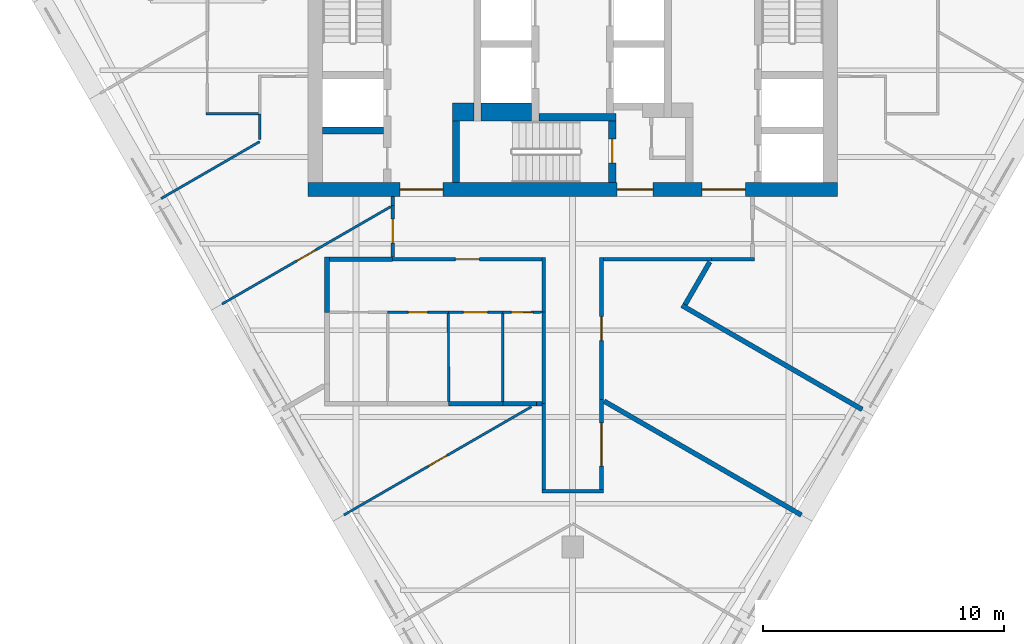
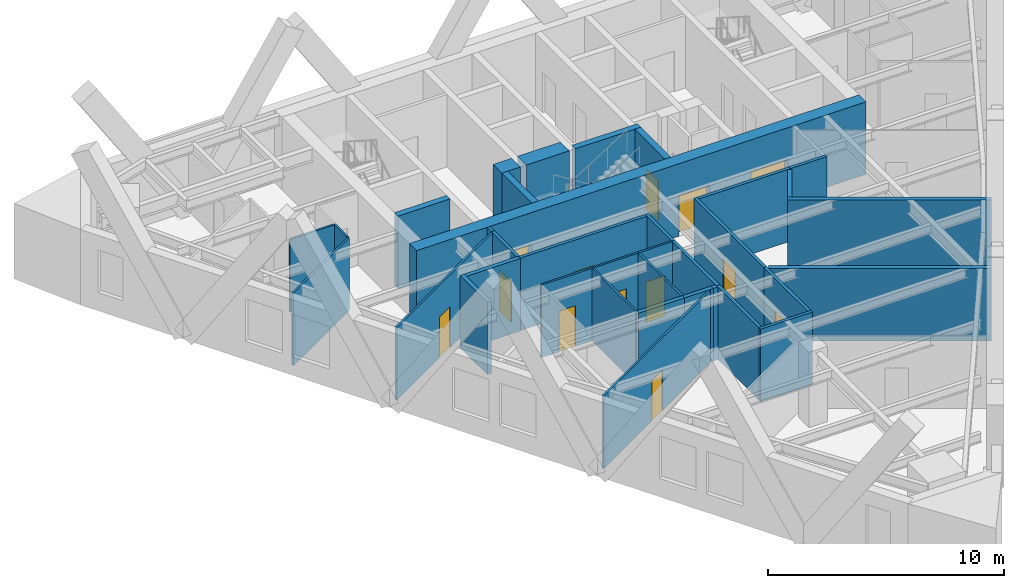
# One storey, part 3 of 7: 36 walls, 13 doors, 13 openings.
"""IFC4 building model written with IfcOpenShell, lengths in metres."""

from ifc_helpers import new_model, si_unit, direction, frame, frame_2d, origin, place, context, subcontext, project, spatial, rectangle, extrude, material, layer, layer_set, type_object, element, fill, save


model = new_model("IFC4")

# Units and contexts
model_context = context("Model", 3, precision=1e-05, world=origin(), true_north=direction((0.0, 1.0)))
body_context = subcontext(model_context, "Body", "Model", "MODEL_VIEW")
ifc_project = project(units=[si_unit("LENGTHUNIT", "METRE"), si_unit("AREAUNIT", "SQUARE_METRE"), si_unit("VOLUMEUNIT", "CUBIC_METRE"), si_unit("PLANEANGLEUNIT", "RADIAN"), si_unit("MASSUNIT", "GRAM", prefix="KILO")], contexts=[model_context])

# Site, building, storey
site_placement = place(None, origin())
site = spatial("IfcSite", under=ifc_project, at=site_placement, CompositionType="ELEMENT")
building_placement = place(site_placement, origin())
building = spatial("IfcBuilding", under=site, at=building_placement, Name="Aloe Facet Convention Tower", CompositionType="ELEMENT")
storey_placement = place(building_placement, frame((0.0, 0.0, 136.39990234375)))
storey = spatial("IfcBuildingStorey", under=building, at=storey_placement, Name="L34", CompositionType="ELEMENT", Elevation=136.39990234375)

# Walls
ifc_material_1 = material(Name="Concrete C60/75", Category="concrete")
ifc_layer_1 = layer(ifc_material_1, 0.300048828125)
ifc_layer_set_1 = layer_set([ifc_layer_1], Name="CR-W-RC300-C6075")
wall_type_1 = type_object("IfcWallType", Name="CR-W-RC300-C6075", PredefinedType="SOLIDWALL", material=ifc_layer_set_1)
wall_1_placement = place(storey_placement, frame((69.60009765625, 125.300048828125, 0.0), z_axis=(0.0, 0.0, 1.0), x_axis=(1.0, 0.0, 0.0)))
element("IfcWall", 1, at=wall_1_placement, inside=storey, type_object=wall_type_1, Name="Core wall L34-005", PredefinedType="SOLIDWALL", context=body_context, shape_type="SweptSolid", body=[
    extrude(rectangle(XDim=2.5498046875, YDim=0.300048828125, at=frame_2d((1.27490234375, 0.0))), origin(), (0.0, 0.0, 1.0), 3.75),
])
wall_2_placement = place(storey_placement, frame((75.14990234375, 125.699951171875, 0.0), z_axis=(0.0, 0.0, 1.0), x_axis=(0.0, -1.0, 0.0)))
element("IfcWall", 2, at=wall_2_placement, inside=storey, type_object=wall_type_1, Name="Core wall L34-009", PredefinedType="SOLIDWALL", context=body_context, shape_type="SweptSolid", body=[
    extrude(rectangle(XDim=2.550048828125, YDim=0.300048828125, at=frame_2d((1.27490234375, 0.0))), origin(), (0.0, 0.0, 1.0), 3.75),
])
wall_3_placement = place(storey_placement, frame((78.60009765625, 125.85009765625, 0.0), z_axis=(0.0, 0.0, 1.0), x_axis=(1.0, 0.0, 0.0)))
element("IfcWall", 3, at=wall_3_placement, inside=storey, type_object=wall_type_1, Name="Core wall L34-015", PredefinedType="SOLIDWALL", context=body_context, shape_type="SweptSolid", body=[
    extrude(rectangle(XDim=3.199951171875, YDim=0.300048828125, at=frame_2d((1.60009765625, 0.0))), origin(), (0.0, 0.0, 1.0), 3.75),
])

# Wall, opening, door
wall_4_placement = place(storey_placement, frame((81.64990234375, 125.699951171875, 0.0), z_axis=(0.0, 0.0, 1.0), x_axis=(0.0, -1.0, 0.0)))
wall_4 = element("IfcWall", 4, at=wall_4_placement, inside=storey, type_object=wall_type_1, Name="Core wall L34-017", PredefinedType="SOLIDWALL", context=body_context, shape_type="SweptSolid", body=[
    extrude(rectangle(XDim=2.550048828125, YDim=0.300048828125, at=frame_2d((1.27490234375, 0.0))), origin(), (0.0, 0.0, 1.0), 3.75),
])
opening_1_placement = place(wall_4_placement, frame((0.75, 0.0, 0.0)))
opening_1 = element("IfcOpeningElement", 5, at=opening_1_placement, cuts=wall_4, Name="Opening L34-CD18", PredefinedType="OPENING", context=body_context, shape_type="SweptSolid", body=[
    extrude(rectangle(XDim=1.0, YDim=2.10009765625, at=frame_2d((0.5, 1.050048828125))), frame((0.0, 0.16015625, 0.0), z_axis=(0.0, -1.0, 0.0), x_axis=(1.0, 0.0, 0.0)), (0.0, 0.0, 1.0), 0.320068359375),
])
ifc_material_2 = material(Name="Steel fire-resisting door set FD120", Category="steel")
door_type_1 = type_object("IfcDoorType", Name="CR-D-STAIR-1000-FD120-SLEFT", OperationType="SINGLE_SWING_LEFT", PredefinedType="DOOR", material=ifc_material_2)
door_1_placement = place(opening_1_placement, origin())
door_1 = element("IfcDoor", 6, at=door_1_placement, inside=storey, type_object=door_type_1, Name="Core door L34-CD18", OperationType="SINGLE_SWING_LEFT", OverallHeight=2.10009765625, OverallWidth=1.0, PredefinedType="DOOR", context=body_context, shape_type="SweptSolid", body=[
    extrude(rectangle(XDim=1.0, YDim=2.10009765625, at=frame_2d((0.5, 1.050048828125))), frame((0.0, 0.02490234375, 0.0), z_axis=(0.0, -1.0, 0.0), x_axis=(1.0, 0.0, 0.0)), (0.0, 0.0, 1.0), 0.050048828125),
])
fill(opening_1, door_1)

# Wall, openings, doors
ifc_material_3 = material(Name="Concrete C60/75", Category="concrete")
ifc_layer_2 = layer(ifc_material_3, 0.60009765625)
ifc_layer_set_2 = layer_set([ifc_layer_2], Name="CR-W-RC600-C6075")
wall_type_2 = type_object("IfcWallType", Name="CR-W-RC600-C6075", PredefinedType="SOLIDWALL", material=ifc_layer_set_2)
wall_5_placement = place(storey_placement, frame((69.0, 122.85009765625, 0.0), z_axis=(0.0, 0.0, 1.0), x_axis=(1.0, 0.0, 0.0)))
wall_5 = element("IfcWall", 7, at=wall_5_placement, inside=storey, type_object=wall_type_2, Name="Core wall L34-003", PredefinedType="SOLIDWALL", context=body_context, shape_type="SweptSolid", body=[
    extrude(rectangle(XDim=22.0, YDim=0.60009765625, at=frame_2d((11.0, 0.0))), origin(), (0.0, 0.0, 1.0), 3.75),
])
opening_2_placement = place(wall_5_placement, frame((16.375, 0.0, 0.0)))
opening_2 = element("IfcOpeningElement", 8, at=opening_2_placement, cuts=wall_5, Name="Opening L34-CD09", PredefinedType="OPENING", context=body_context, shape_type="SweptSolid", body=[
    extrude(rectangle(XDim=1.800048828125, YDim=2.10009765625, at=frame_2d((0.89990234375, 1.050048828125))), frame((0.0, 0.31005859375, 0.0), z_axis=(0.0, -1.0, 0.0), x_axis=(1.0, 0.0, 0.0)), (0.0, 0.0, 1.0), 0.6201171875),
])
opening_3_placement = place(wall_5_placement, frame((3.824951171875, 0.0, 0.0)))
opening_3 = element("IfcOpeningElement", 9, at=opening_3_placement, cuts=wall_5, Name="Opening L34-CD10", PredefinedType="OPENING", context=body_context, shape_type="SweptSolid", body=[
    extrude(rectangle(XDim=1.800048828125, YDim=2.10009765625, at=frame_2d((0.89990234375, 1.050048828125))), frame((0.0, 0.31005859375, 0.0), z_axis=(0.0, -1.0, 0.0), x_axis=(1.0, 0.0, 0.0)), (0.0, 0.0, 1.0), 0.6201171875),
])
opening_4_placement = place(wall_5_placement, frame((12.85009765625, 0.0, 0.0)))
opening_4 = element("IfcOpeningElement", 10, at=opening_4_placement, cuts=wall_5, Name="Opening L34-CD11", PredefinedType="OPENING", context=body_context, shape_type="SweptSolid", body=[
    extrude(rectangle(XDim=1.5, YDim=2.10009765625, at=frame_2d((0.75, 1.050048828125))), frame((0.0, 0.31005859375, 0.0), z_axis=(0.0, -1.0, 0.0), x_axis=(1.0, 0.0, 0.0)), (0.0, 0.0, 1.0), 0.6201171875),
])
ifc_material_4 = material(Name="Steel fire-resisting door set FD60", Category="steel")
door_type_2 = type_object("IfcDoorType", Name="CR-D-EXIT-1500-FD60-DD", OperationType="DOUBLE_DOOR_DOUBLE_SWING", PredefinedType="DOOR", material=ifc_material_4)
door_2_placement = place(opening_4_placement, origin())
door_2 = element("IfcDoor", 11, at=door_2_placement, inside=storey, type_object=door_type_2, Name="Core door L34-CD11", OperationType="DOUBLE_DOOR_DOUBLE_SWING", OverallHeight=2.10009765625, OverallWidth=1.5, PredefinedType="DOOR", context=body_context, shape_type="SweptSolid", body=[
    extrude(rectangle(XDim=1.5, YDim=2.10009765625, at=frame_2d((0.75, 1.050048828125))), frame((0.0, 0.02490234375, 0.0), z_axis=(0.0, -1.0, 0.0), x_axis=(1.0, 0.0, 0.0)), (0.0, 0.0, 1.0), 0.050048828125),
])
fill(opening_4, door_2)
ifc_material_5 = material(Name="Steel fire-resisting door set FD120", Category="steel")
door_type_3 = type_object("IfcDoorType", Name="CR-D-EXIT-1800-FD120-DD", OperationType="DOUBLE_DOOR_DOUBLE_SWING", PredefinedType="DOOR", material=ifc_material_5)
door_3_placement = place(opening_2_placement, origin())
door_3 = element("IfcDoor", 12, at=door_3_placement, inside=storey, type_object=door_type_3, Name="Core door L34-CD09", OperationType="DOUBLE_DOOR_DOUBLE_SWING", OverallHeight=2.10009765625, OverallWidth=1.800048828125, PredefinedType="DOOR", context=body_context, shape_type="SweptSolid", body=[
    extrude(rectangle(XDim=1.800048828125, YDim=2.10009765625, at=frame_2d((0.89990234375, 1.050048828125))), frame((0.0, 0.02490234375, 0.0), z_axis=(0.0, -1.0, 0.0), x_axis=(1.0, 0.0, 0.0)), (0.0, 0.0, 1.0), 0.050048828125),
])
fill(opening_2, door_3)
door_4_placement = place(opening_3_placement, origin())
door_4 = element("IfcDoor", 13, at=door_4_placement, inside=storey, type_object=door_type_3, Name="Core door L34-CD10", OperationType="DOUBLE_DOOR_DOUBLE_SWING", OverallHeight=2.10009765625, OverallWidth=1.800048828125, PredefinedType="DOOR", context=body_context, shape_type="SweptSolid", body=[
    extrude(rectangle(XDim=1.800048828125, YDim=2.10009765625, at=frame_2d((0.89990234375, 1.050048828125))), frame((0.0, 0.02490234375, 0.0), z_axis=(0.0, -1.0, 0.0), x_axis=(1.0, 0.0, 0.0)), (0.0, 0.0, 1.0), 0.050048828125),
])
fill(opening_3, door_4)

# Walls
ifc_material_6 = material(Name="Concrete C60/75", Category="concrete")
ifc_layer_3 = layer(ifc_material_6, 0.75)
ifc_layer_set_3 = layer_set([ifc_layer_3], Name="CR-W-RC750-C6075")
wall_type_3 = type_object("IfcWallType", Name="CR-W-RC750-C6075", PredefinedType="SOLIDWALL", material=ifc_layer_set_3)
wall_6_placement = place(storey_placement, frame((75.0, 126.074951171875, 0.0), z_axis=(0.0, 0.0, 1.0), x_axis=(1.0, 0.0, 0.0)))
element("IfcWall", 14, at=wall_6_placement, inside=storey, type_object=wall_type_3, Name="Core wall L34-008", PredefinedType="SOLIDWALL", context=body_context, shape_type="SweptSolid", body=[
    extrude(rectangle(XDim=0.89990234375, YDim=0.75, at=frame_2d((0.449951171875, 0.0))), origin(), (0.0, 0.0, 1.0), 3.75),
])
wall_7_placement = place(storey_placement, frame((76.199951171875, 126.074951171875, 0.0), z_axis=(0.0, 0.0, 1.0), x_axis=(1.0, 0.0, 0.0)))
element("IfcWall", 15, at=wall_7_placement, inside=storey, type_object=wall_type_3, Name="Core wall L34-013", PredefinedType="SOLIDWALL", context=body_context, shape_type="SweptSolid", body=[
    extrude(rectangle(XDim=2.10009765625, YDim=0.75, at=frame_2d((1.050048828125, 0.0))), origin(), (0.0, 0.0, 1.0), 3.75),
])
ifc_material_7 = material(Name="Gypsum board partition on steel studs", Category="steel")
ifc_layer_4 = layer(ifc_material_7, 0.14990234375)
ifc_layer_set_4 = layer_set([ifc_layer_4], Name="IN-W-CORR")
wall_type_4 = type_object("IfcWallType", Name="IN-W-CORR", PredefinedType="PARTITIONING", material=ifc_layer_set_4)
wall_8_placement = place(storey_placement, frame((78.72509765625, 110.313232421875, 0.0), z_axis=(0.0, 0.0, 1.0), x_axis=(1.0, 0.0, 0.0)))
element("IfcWall", 16, at=wall_8_placement, inside=storey, type_object=wall_type_4, Name="Partition L34-W004", PredefinedType="PARTITIONING", context=body_context, shape_type="SweptSolid", body=[
    extrude(rectangle(XDim=2.5498046875, YDim=0.14990234375, at=frame_2d((1.27490234375, 0.0))), origin(), (0.0, 0.0, 1.0), 3.75),
])

# Wall, opening, door
wall_9_placement = place(storey_placement, frame((81.199951171875, 110.38818359375, 0.0), z_axis=(0.0, 0.0, 1.0), x_axis=(0.0, 1.0, 0.0)))
wall_9 = element("IfcWall", 17, at=wall_9_placement, inside=storey, type_object=wall_type_4, Name="Partition L34-W005", PredefinedType="PARTITIONING", context=body_context, shape_type="SweptSolid", body=[
    extrude(rectangle(XDim=3.732177734375, YDim=0.14990234375, at=frame_2d((1.8662109375, 0.0))), origin(), (0.0, 0.0, 1.0), 3.75),
])
opening_5_placement = place(wall_9_placement, frame((0.966064453125, 0.0, 0.0)))
opening_5 = element("IfcOpeningElement", 18, at=opening_5_placement, cuts=wall_9, Name="Opening L34-019", PredefinedType="OPENING", context=body_context, shape_type="SweptSolid", body=[
    extrude(rectangle(XDim=1.800048828125, YDim=2.10009765625, at=frame_2d((0.89990234375, 1.050048828125))), frame((0.0, 0.0849609375, 0.0), z_axis=(0.0, -1.0, 0.0), x_axis=(1.0, 0.0, 0.0)), (0.0, 0.0, 1.0), 0.169921875),
])
ifc_material_8 = material(Name="Glazed timber door pair FD30S", Category="wood")
door_type_4 = type_object("IfcDoorType", Name="IN-OFF-D-SUITE", OperationType="DOUBLE_DOOR_SINGLE_SWING", PredefinedType="DOOR", material=ifc_material_8)
door_5_placement = place(opening_5_placement, origin())
door_5 = element("IfcDoor", 19, at=door_5_placement, inside=storey, type_object=door_type_4, Name="Door L34-019", OperationType="SINGLE_SWING_LEFT", OverallHeight=2.10009765625, OverallWidth=1.800048828125, PredefinedType="DOOR", context=body_context, shape_type="SweptSolid", body=[
    extrude(rectangle(XDim=1.800048828125, YDim=2.10009765625, at=frame_2d((0.89990234375, 1.050048828125))), frame((0.0, 0.02490234375, 0.0), z_axis=(0.0, -1.0, 0.0), x_axis=(1.0, 0.0, 0.0)), (0.0, 0.0, 1.0), 0.050048828125),
])
fill(opening_5, door_5)

# Walls
wall_10_placement = place(storey_placement, frame((78.800048828125, 110.38818359375, 0.0), z_axis=(0.0, 0.0, 1.0), x_axis=(0.0, 1.0, 0.0)))
element("IfcWall", 20, at=wall_10_placement, inside=storey, type_object=wall_type_4, Name="Partition L34-W013", PredefinedType="PARTITIONING", context=body_context, shape_type="SweptSolid", body=[
    extrude(rectangle(XDim=3.561767578125, YDim=0.14990234375, at=frame_2d((1.78076171875, 0.0))), origin(), (0.0, 0.0, 1.0), 3.75),
])
wall_11_placement = place(storey_placement, frame((78.800048828125, 113.949951171875, 0.0), z_axis=(0.0, 0.0, 1.0), x_axis=(0.0, 1.0, 0.0)))
element("IfcWall", 21, at=wall_11_placement, inside=storey, type_object=wall_type_4, Name="Partition L34-W014", PredefinedType="PARTITIONING", context=body_context, shape_type="SweptSolid", body=[
    extrude(rectangle(XDim=3.81005859375, YDim=0.14990234375, at=frame_2d((1.905029296875, 0.0))), origin(), (0.0, 0.0, 1.0), 3.75),
])
wall_12_placement = place(storey_placement, frame((78.800048828125, 117.760009765625, 0.0), z_axis=(0.0, 0.0, 1.0), x_axis=(0.0, 1.0, 0.0)))
element("IfcWall", 22, at=wall_12_placement, inside=storey, type_object=wall_type_4, Name="Partition L34-W017", PredefinedType="PARTITIONING", context=body_context, shape_type="SweptSolid", body=[
    extrude(rectangle(XDim=2.264892578125, YDim=0.14990234375, at=frame_2d((1.13232421875, 0.0))), origin(), (0.0, 0.0, 1.0), 3.75),
])

# Wall, opening, door
wall_13_placement = place(storey_placement, frame((72.52490234375, 120.050048828125, 0.0), z_axis=(0.0, 0.0, 1.0), x_axis=(0.0, 1.0, 0.0)))
wall_13 = element("IfcWall", 23, at=wall_13_placement, inside=storey, type_object=wall_type_4, Name="Partition L34-W031", PredefinedType="PARTITIONING", context=body_context, shape_type="SweptSolid", body=[
    extrude(rectangle(XDim=2.134765625, YDim=0.14990234375, at=frame_2d((1.0673828125, 0.0))), origin(), (0.0, 0.0, 1.0), 3.75),
])
opening_6_placement = place(wall_13_placement, frame((0.5673828125, 0.0, 0.0)))
opening_6 = element("IfcOpeningElement", 24, at=opening_6_placement, cuts=wall_13, Name="Opening L34-010", PredefinedType="OPENING", context=body_context, shape_type="SweptSolid", body=[
    extrude(rectangle(XDim=1.0, YDim=2.10009765625, at=frame_2d((0.5, 1.050048828125))), frame((0.0, 0.0849609375, 0.0), z_axis=(0.0, -1.0, 0.0), x_axis=(1.0, 0.0, 0.0)), (0.0, 0.0, 1.0), 0.169921875),
])
ifc_material_9 = material(Name="Timber door FD30S with vision panel", Category="wood")
door_type_5 = type_object("IfcDoorType", Name="IN-OFF-D-ENTRY", OperationType="SINGLE_SWING_LEFT", PredefinedType="DOOR", material=ifc_material_9)
door_6_placement = place(opening_6_placement, origin())
door_6 = element("IfcDoor", 25, at=door_6_placement, inside=storey, type_object=door_type_5, Name="Door L34-010", OperationType="SINGLE_SWING_LEFT", OverallHeight=2.10009765625, OverallWidth=1.0, PredefinedType="DOOR", context=body_context, shape_type="SweptSolid", body=[
    extrude(rectangle(XDim=1.0, YDim=2.10009765625, at=frame_2d((0.5, 1.050048828125))), frame((0.0, 0.02490234375, 0.0), z_axis=(0.0, -1.0, 0.0), x_axis=(1.0, 0.0, 0.0)), (0.0, 0.0, 1.0), 0.050048828125),
])
fill(opening_6, door_6)

wall_14_placement = place(storey_placement, frame((72.52490234375, 119.949951171875, 0.0), z_axis=(0.0, 0.0, 1.0), x_axis=(1.0, 0.0, 0.0)))
wall_14 = element("IfcWall", 26, at=wall_14_placement, inside=storey, type_object=wall_type_4, Name="Partition L34-W032", PredefinedType="PARTITIONING", context=body_context, shape_type="SweptSolid", body=[
    extrude(rectangle(XDim=6.2001953125, YDim=0.14990234375, at=frame_2d((3.10009765625, 0.0))), origin(), (0.0, 0.0, 1.0), 3.75),
])
opening_7_placement = place(wall_14_placement, frame((2.60009765625, 0.0, 0.0)))
opening_7 = element("IfcOpeningElement", 27, at=opening_7_placement, cuts=wall_14, Name="Opening L34-001", PredefinedType="OPENING", context=body_context, shape_type="SweptSolid", body=[
    extrude(rectangle(XDim=1.0, YDim=2.10009765625, at=frame_2d((0.5, 1.050048828125))), frame((0.0, 0.0849609375, 0.0), z_axis=(0.0, -1.0, 0.0), x_axis=(1.0, 0.0, 0.0)), (0.0, 0.0, 1.0), 0.169921875),
])
door_7_placement = place(opening_7_placement, origin())
door_7 = element("IfcDoor", 28, at=door_7_placement, inside=storey, type_object=door_type_5, Name="Door L34-001", OperationType="SINGLE_SWING_LEFT", OverallHeight=2.10009765625, OverallWidth=1.0, PredefinedType="DOOR", context=body_context, shape_type="SweptSolid", body=[
    extrude(rectangle(XDim=1.0, YDim=2.10009765625, at=frame_2d((0.5, 1.050048828125))), frame((0.0, 0.02490234375, 0.0), z_axis=(0.0, -1.0, 0.0), x_axis=(1.0, 0.0, 0.0)), (0.0, 0.0, 1.0), 0.050048828125),
])
fill(opening_7, door_7)

wall_15_placement = place(storey_placement, frame((81.199951171875, 114.120361328125, 0.0), z_axis=(0.0, 0.0, 1.0), x_axis=(0.0, 1.0, 0.0)))
wall_15 = element("IfcWall", 29, at=wall_15_placement, inside=storey, type_object=wall_type_4, Name="Partition L34-W033", PredefinedType="PARTITIONING", context=body_context, shape_type="SweptSolid", body=[
    extrude(rectangle(XDim=5.904541015625, YDim=0.14990234375, at=frame_2d((2.9521484375, 0.0))), origin(), (0.0, 0.0, 1.0), 3.75),
])
opening_8_placement = place(wall_15_placement, frame((2.452392578125, 0.0, 0.0)))
opening_8 = element("IfcOpeningElement", 30, at=opening_8_placement, cuts=wall_15, Name="Opening L34-012", PredefinedType="OPENING", context=body_context, shape_type="SweptSolid", body=[
    extrude(rectangle(XDim=1.0, YDim=2.10009765625, at=frame_2d((0.5, 1.050048828125))), frame((0.0, 0.0849609375, 0.0), z_axis=(0.0, -1.0, 0.0), x_axis=(1.0, 0.0, 0.0)), (0.0, 0.0, 1.0), 0.169921875),
])
door_8_placement = place(opening_8_placement, origin())
door_8 = element("IfcDoor", 31, at=door_8_placement, inside=storey, type_object=door_type_5, Name="Door L34-012", OperationType="SINGLE_SWING_LEFT", OverallHeight=2.10009765625, OverallWidth=1.0, PredefinedType="DOOR", context=body_context, shape_type="SweptSolid", body=[
    extrude(rectangle(XDim=1.0, YDim=2.10009765625, at=frame_2d((0.5, 1.050048828125))), frame((0.0, 0.02490234375, 0.0), z_axis=(0.0, -1.0, 0.0), x_axis=(1.0, 0.0, 0.0)), (0.0, 0.0, 1.0), 0.050048828125),
])
fill(opening_8, door_8)

# Walls
wall_16_placement = place(storey_placement, frame((81.27490234375, 119.949951171875, 0.0), z_axis=(0.0, 0.0, 1.0), x_axis=(1.0, 0.0, 0.0)))
element("IfcWall", 32, at=wall_16_placement, inside=storey, type_object=wall_type_4, Name="Partition L34-W034", PredefinedType="PARTITIONING", context=body_context, shape_type="SweptSolid", body=[
    extrude(rectangle(XDim=4.48681640625, YDim=0.14990234375, at=frame_2d((2.243408203125, 0.0))), origin(), (0.0, 0.0, 1.0), 3.75),
])
wall_17_placement = place(storey_placement, frame((85.76171875, 119.949951171875, 0.0), z_axis=(0.0, 0.0, 1.0), x_axis=(1.0, 0.0, 0.0)))
element("IfcWall", 33, at=wall_17_placement, inside=storey, type_object=wall_type_4, Name="Partition L34-W035", PredefinedType="PARTITIONING", context=body_context, shape_type="SweptSolid", body=[
    extrude(rectangle(XDim=1.788330078125, YDim=0.14990234375, at=frame_2d((0.89404296875, 0.0))), origin(), (0.0, 0.0, 1.0), 3.75),
])
wall_18_placement = place(storey_placement, frame((72.52490234375, 122.184814453125, 0.0), z_axis=(0.0, 0.0, 1.0), x_axis=(0.0, 1.0, 0.0)))
element("IfcWall", 34, at=wall_18_placement, inside=storey, type_object=wall_type_4, Name="Partition L34-W036", PredefinedType="PARTITIONING", context=body_context, shape_type="SweptSolid", body=[
    extrude(rectangle(XDim=0.365234375, YDim=0.14990234375, at=frame_2d((0.1826171875, 0.0))), origin(), (0.0, 0.0, 1.0), 3.75),
])

# Wall, opening, door
ifc_material_10 = material(Name="Gypsum board partition on steel studs", Category="steel")
ifc_layer_5 = layer(ifc_material_10, 0.10009765625)
ifc_layer_set_5 = layer_set([ifc_layer_5], Name="IN-W-PART")
wall_type_5 = type_object("IfcWallType", Name="IN-W-PART", PredefinedType="PARTITIONING", material=ifc_layer_set_5)
wall_19_placement = place(storey_placement, frame((70.49853515625, 109.327392578125, 0.0), z_axis=(0.0, 0.0, 1.0), x_axis=(0.866019704065, 0.500009872074, 0.0)))
wall_19 = element("IfcWall", 35, at=wall_19_placement, inside=storey, type_object=wall_type_5, Name="Partition L34-W003", PredefinedType="PARTITIONING", context=body_context, shape_type="SweptSolid", body=[
    extrude(rectangle(XDim=8.994873046875, YDim=0.10009765625, at=frame_2d((4.49755859375, 0.0))), origin(), (0.0, 0.0, 1.0), 3.75),
])
opening_9_placement = place(wall_19_placement, frame((4.047607421875, 0.0, 0.0)))
opening_9 = element("IfcOpeningElement", 36, at=opening_9_placement, cuts=wall_19, Name="Opening L34-011", PredefinedType="OPENING", context=body_context, shape_type="SweptSolid", body=[
    extrude(rectangle(XDim=0.89990234375, YDim=2.10009765625, at=frame_2d((0.449951171875, 1.050048828125))), frame((0.0, 0.06005859375, 0.0), z_axis=(0.0, -1.0, 0.0), x_axis=(1.0, 0.0, 0.0)), (0.0, 0.0, 1.0), 0.1201171875),
])
ifc_material_11 = material(Name="Timber door", Category="wood")
door_type_6 = type_object("IfcDoorType", Name="IN-OFF-D-ROOM", OperationType="SINGLE_SWING_LEFT", PredefinedType="DOOR", material=ifc_material_11)
door_9_placement = place(opening_9_placement, origin())
door_9 = element("IfcDoor", 37, at=door_9_placement, inside=storey, type_object=door_type_6, Name="Door L34-011", OperationType="SINGLE_SWING_LEFT", OverallHeight=2.10009765625, OverallWidth=0.89990234375, PredefinedType="DOOR", context=body_context, shape_type="SweptSolid", body=[
    extrude(rectangle(XDim=0.89990234375, YDim=2.10009765625, at=frame_2d((0.449951171875, 1.050048828125))), frame((0.0, 0.02490234375, 0.0), z_axis=(0.0, -1.0, 0.0), x_axis=(1.0, 0.0, 0.0)), (0.0, 0.0, 1.0), 0.050048828125),
])
fill(opening_9, door_9)

# Wall
wall_20_placement = place(storey_placement, frame((74.849853515625, 114.050048828125, 0.0), z_axis=(0.0, 0.0, 1.0), x_axis=(-0.002675575707, 0.999996420641, 0.0)))
element("IfcWall", 38, at=wall_20_placement, inside=storey, type_object=wall_type_5, Name="Partition L34-W020", PredefinedType="PARTITIONING", context=body_context, shape_type="SweptSolid", body=[
    extrude(rectangle(XDim=3.64990234375, YDim=0.10009765625, at=frame_2d((1.824951171875, 0.0))), origin(), (0.0, 0.0, 1.0), 3.75),
])

# Wall, opening, door
wall_21_placement = place(storey_placement, frame((72.320068359375, 117.75, 0.0), z_axis=(0.0, 0.0, 1.0), x_axis=(1.0, 0.0, 0.0)))
wall_21 = element("IfcWall", 39, at=wall_21_placement, inside=storey, type_object=wall_type_5, Name="Partition L34-W021", PredefinedType="PARTITIONING", context=body_context, shape_type="SweptSolid", body=[
    extrude(rectangle(XDim=2.52001953125, YDim=0.10009765625, at=frame_2d((1.260009765625, 0.0))), origin(), (0.0, 0.0, 1.0), 3.75),
])
opening_10_placement = place(wall_21_placement, frame((0.860107421875, 0.0, 0.0)))
opening_10 = element("IfcOpeningElement", 40, at=opening_10_placement, cuts=wall_21, Name="Opening L34-003", PredefinedType="OPENING", context=body_context, shape_type="SweptSolid", body=[
    extrude(rectangle(XDim=0.800048828125, YDim=2.10009765625, at=frame_2d((0.39990234375, 1.050048828125))), frame((0.0, 0.06005859375, 0.0), z_axis=(0.0, -1.0, 0.0), x_axis=(1.0, 0.0, 0.0)), (0.0, 0.0, 1.0), 0.1201171875),
])
ifc_material_12 = material(Name="Timber door", Category="wood")
door_type_7 = type_object("IfcDoorType", Name="IN-OFF-D-WC", OperationType="SINGLE_SWING_LEFT", PredefinedType="DOOR", material=ifc_material_12)
door_10_placement = place(opening_10_placement, origin())
door_10 = element("IfcDoor", 41, at=door_10_placement, inside=storey, type_object=door_type_7, Name="Door L34-003", OperationType="SINGLE_SWING_LEFT", OverallHeight=2.10009765625, OverallWidth=0.800048828125, PredefinedType="DOOR", context=body_context, shape_type="SweptSolid", body=[
    extrude(rectangle(XDim=0.800048828125, YDim=2.10009765625, at=frame_2d((0.39990234375, 1.050048828125))), frame((0.0, 0.02490234375, 0.0), z_axis=(0.0, -1.0, 0.0), x_axis=(1.0, 0.0, 0.0)), (0.0, 0.0, 1.0), 0.050048828125),
])
fill(opening_10, door_10)

# Wall
wall_22_placement = place(storey_placement, frame((77.099853515625, 114.050048828125, 0.0), z_axis=(0.0, 0.0, 1.0), x_axis=(-0.002675575707, 0.999996420641, 0.0)))
element("IfcWall", 42, at=wall_22_placement, inside=storey, type_object=wall_type_5, Name="Partition L34-W022", PredefinedType="PARTITIONING", context=body_context, shape_type="SweptSolid", body=[
    extrude(rectangle(XDim=3.64990234375, YDim=0.10009765625, at=frame_2d((1.824951171875, 0.0))), origin(), (0.0, 0.0, 1.0), 3.75),
])

# Wall, opening, door
wall_23_placement = place(storey_placement, frame((74.840087890625, 117.75, 0.0), z_axis=(0.0, 0.0, 1.0), x_axis=(1.0, 0.0, 0.0)))
wall_23 = element("IfcWall", 43, at=wall_23_placement, inside=storey, type_object=wall_type_5, Name="Partition L34-W023", PredefinedType="PARTITIONING", context=body_context, shape_type="SweptSolid", body=[
    extrude(rectangle(XDim=2.25, YDim=0.10009765625, at=frame_2d((1.125, 0.0))), origin(), (0.0, 0.0, 1.0), 3.75),
])
opening_11_placement = place(wall_23_placement, frame((0.625, 0.0, 0.0)))
opening_11 = element("IfcOpeningElement", 44, at=opening_11_placement, cuts=wall_23, Name="Opening L34-004", PredefinedType="OPENING", context=body_context, shape_type="SweptSolid", body=[
    extrude(rectangle(XDim=1.0, YDim=2.10009765625, at=frame_2d((0.5, 1.050048828125))), frame((0.0, 0.06005859375, 0.0), z_axis=(0.0, -1.0, 0.0), x_axis=(1.0, 0.0, 0.0)), (0.0, 0.0, 1.0), 0.1201171875),
])
ifc_material_13 = material(Name="Timber door", Category="wood")
door_type_8 = type_object("IfcDoorType", Name="IN-OFF-D-WIDE", OperationType="SINGLE_SWING_LEFT", PredefinedType="DOOR", material=ifc_material_13)
door_11_placement = place(opening_11_placement, origin())
door_11 = element("IfcDoor", 45, at=door_11_placement, inside=storey, type_object=door_type_8, Name="Door L34-004", OperationType="SINGLE_SWING_LEFT", OverallHeight=2.10009765625, OverallWidth=1.0, PredefinedType="DOOR", context=body_context, shape_type="SweptSolid", body=[
    extrude(rectangle(XDim=1.0, YDim=2.10009765625, at=frame_2d((0.5, 1.050048828125))), frame((0.0, 0.02490234375, 0.0), z_axis=(0.0, -1.0, 0.0), x_axis=(1.0, 0.0, 0.0)), (0.0, 0.0, 1.0), 0.050048828125),
])
fill(opening_11, door_11)

wall_24_placement = place(storey_placement, frame((77.090087890625, 117.75, 0.0), z_axis=(0.0, 0.0, 1.0), x_axis=(0.999983043837, 0.005823404317, 0.0)))
wall_24 = element("IfcWall", 46, at=wall_24_placement, inside=storey, type_object=wall_type_5, Name="Partition L34-W024", PredefinedType="PARTITIONING", context=body_context, shape_type="SweptSolid", body=[
    extrude(rectangle(XDim=1.635009765625, YDim=0.10009765625, at=frame_2d((0.8173828125, 0.0))), origin(), (0.0, 0.0, 1.0), 3.75),
])
opening_12_placement = place(wall_24_placement, frame((0.367431640625, 0.0, 0.0)))
opening_12 = element("IfcOpeningElement", 47, at=opening_12_placement, cuts=wall_24, Name="Opening L34-005", PredefinedType="OPENING", context=body_context, shape_type="SweptSolid", body=[
    extrude(rectangle(XDim=0.89990234375, YDim=2.10009765625, at=frame_2d((0.449951171875, 1.050048828125))), frame((0.0, 0.06005859375, 0.0), z_axis=(0.0, -1.0, 0.0), x_axis=(1.0, 0.0, 0.0)), (0.0, 0.0, 1.0), 0.1201171875),
])
door_12_placement = place(opening_12_placement, origin())
door_12 = element("IfcDoor", 48, at=door_12_placement, inside=storey, type_object=door_type_6, Name="Door L34-005", OperationType="SINGLE_SWING_LEFT", OverallHeight=2.10009765625, OverallWidth=0.89990234375, PredefinedType="DOOR", context=body_context, shape_type="SweptSolid", body=[
    extrude(rectangle(XDim=0.89990234375, YDim=2.10009765625, at=frame_2d((0.449951171875, 1.050048828125))), frame((0.0, 0.02490234375, 0.0), z_axis=(0.0, -1.0, 0.0), x_axis=(1.0, 0.0, 0.0)), (0.0, 0.0, 1.0), 0.050048828125),
])
fill(opening_12, door_12)

wall_25_placement = place(storey_placement, frame((65.437744140625, 118.093017578125, 0.0), z_axis=(0.0, 0.0, 1.0), x_axis=(0.866029768103, 0.499992440702, 0.0)))
wall_25 = element("IfcWall", 49, at=wall_25_placement, inside=storey, type_object=wall_type_5, Name="Partition L34-W027", PredefinedType="PARTITIONING", context=body_context, shape_type="SweptSolid", body=[
    extrude(rectangle(XDim=8.088623046875, YDim=0.10009765625, at=frame_2d((4.04443359375, 0.0))), origin(), (0.0, 0.0, 1.0), 3.75),
])
opening_13_placement = place(wall_25_placement, frame((3.59423828125, 0.0, 0.0)))
opening_13 = element("IfcOpeningElement", 50, at=opening_13_placement, cuts=wall_25, Name="Opening L34-009", PredefinedType="OPENING", context=body_context, shape_type="SweptSolid", body=[
    extrude(rectangle(XDim=0.89990234375, YDim=2.10009765625, at=frame_2d((0.449951171875, 1.050048828125))), frame((0.0, 0.06005859375, 0.0), z_axis=(0.0, -1.0, 0.0), x_axis=(1.0, 0.0, 0.0)), (0.0, 0.0, 1.0), 0.1201171875),
])
door_13_placement = place(opening_13_placement, origin())
door_13 = element("IfcDoor", 51, at=door_13_placement, inside=storey, type_object=door_type_6, Name="Door L34-009", OperationType="SINGLE_SWING_LEFT", OverallHeight=2.10009765625, OverallWidth=0.89990234375, PredefinedType="DOOR", context=body_context, shape_type="SweptSolid", body=[
    extrude(rectangle(XDim=0.89990234375, YDim=2.10009765625, at=frame_2d((0.449951171875, 1.050048828125))), frame((0.0, 0.02490234375, 0.0), z_axis=(0.0, -1.0, 0.0), x_axis=(1.0, 0.0, 0.0)), (0.0, 0.0, 1.0), 0.050048828125),
])
fill(opening_13, door_13)

# Walls
wall_26_placement = place(storey_placement, frame((62.907470703125, 122.475830078125, 0.0), z_axis=(0.0, 0.0, 1.0), x_axis=(0.866028145587, 0.499995251029, 0.0)))
element("IfcWall", 52, at=wall_26_placement, inside=storey, type_object=wall_type_5, Name="Partition L34-W038", PredefinedType="PARTITIONING", context=body_context, shape_type="SweptSolid", body=[
    extrude(rectangle(XDim=4.7255859375, YDim=0.10009765625, at=frame_2d((2.36279296875, 0.0))), origin(), (0.0, 0.0, 1.0), 3.75),
])
wall_27_placement = place(storey_placement, frame((67.000244140625, 124.925537109375, 0.0), z_axis=(0.0, 0.0, 1.0), x_axis=(0.00252292775, 0.999996817413, 0.0)))
element("IfcWall", 53, at=wall_27_placement, inside=storey, type_object=wall_type_5, Name="Partition L34-W042", PredefinedType="PARTITIONING", context=body_context, shape_type="SweptSolid", body=[
    extrude(rectangle(XDim=1.064453125, YDim=0.10009765625, at=frame_2d((0.5322265625, 0.0))), origin(), (0.0, 0.0, 1.0), 3.75),
])
wall_28_placement = place(storey_placement, frame((64.777587890625, 126.000244140625, 0.0), z_axis=(0.0, 0.0, 1.0), x_axis=(0.999989412939, -0.004601522551, 0.0)))
element("IfcWall", 54, at=wall_28_placement, inside=storey, type_object=wall_type_5, Name="Partition L34-W044", PredefinedType="PARTITIONING", context=body_context, shape_type="SweptSolid", body=[
    extrude(rectangle(XDim=2.17529296875, YDim=0.10009765625, at=frame_2d((1.087646484375, 0.0))), origin(), (0.0, 0.0, 1.0), 3.75),
])
ifc_material_14 = material(Name="Gypsum board partition on steel studs", Category="steel")
ifc_layer_6 = layer(ifc_material_14, 0.199951171875)
ifc_layer_set_6 = layer_set([ifc_layer_6], Name="IN-W-PARTY")
wall_type_6 = type_object("IfcWallType", Name="IN-W-PARTY", PredefinedType="PARTITIONING", material=ifc_layer_set_6)
wall_29_placement = place(storey_placement, frame((84.540771484375, 118.03515625, 0.0), z_axis=(0.0, 0.0, 1.0), x_axis=(0.866023427642, -0.500003422764, 0.0)))
element("IfcWall", 55, at=wall_29_placement, inside=storey, type_object=wall_type_6, Name="Partition L34-W007", PredefinedType="PARTITIONING", context=body_context, shape_type="SweptSolid", body=[
    extrude(rectangle(XDim=8.64990234375, YDim=0.199951171875, at=frame_2d((4.324951171875, 0.0))), origin(), (0.0, 0.0, 1.0), 3.75),
])
wall_30_placement = place(storey_placement, frame((74.85009765625, 113.949951171875, 0.0), z_axis=(0.0, 0.0, 1.0), x_axis=(1.0, 0.0, 0.0)))
element("IfcWall", 56, at=wall_30_placement, inside=storey, type_object=wall_type_6, Name="Partition L34-W010", PredefinedType="PARTITIONING", context=body_context, shape_type="SweptSolid", body=[
    extrude(rectangle(XDim=2.25, YDim=0.199951171875, at=frame_2d((1.125, 0.0))), origin(), (0.0, 0.0, 1.0), 3.75),
])
wall_31_placement = place(storey_placement, frame((77.10009765625, 113.949951171875, 0.0), z_axis=(0.0, 0.0, 1.0), x_axis=(1.0, 0.0, 0.0)))
element("IfcWall", 57, at=wall_31_placement, inside=storey, type_object=wall_type_6, Name="Partition L34-W011", PredefinedType="PARTITIONING", context=body_context, shape_type="SweptSolid", body=[
    extrude(rectangle(XDim=1.40478515625, YDim=0.199951171875, at=frame_2d((0.702392578125, 0.0))), origin(), (0.0, 0.0, 1.0), 3.75),
])
wall_32_placement = place(storey_placement, frame((78.5048828125, 113.949951171875, 0.0), z_axis=(0.0, 0.0, 1.0), x_axis=(1.0, 0.0, 0.0)))
element("IfcWall", 58, at=wall_32_placement, inside=storey, type_object=wall_type_6, Name="Partition L34-W012", PredefinedType="PARTITIONING", context=body_context, shape_type="SweptSolid", body=[
    extrude(rectangle(XDim=0.22021484375, YDim=0.199951171875, at=frame_2d((0.110107421875, 0.0))), origin(), (0.0, 0.0, 1.0), 3.75),
])
wall_33_placement = place(storey_placement, frame((81.308349609375, 114.057861328125, 0.0), z_axis=(0.0, 0.0, 1.0), x_axis=(0.866017555821, -0.500013592824, 0.0)))
element("IfcWall", 59, at=wall_33_placement, inside=storey, type_object=wall_type_6, Name="Partition L34-W015", PredefinedType="PARTITIONING", context=body_context, shape_type="SweptSolid", body=[
    extrude(rectangle(XDim=9.460693359375, YDim=0.199951171875, at=frame_2d((4.73046875, 0.0))), origin(), (0.0, 0.0, 1.0), 3.75),
])
wall_34_placement = place(storey_placement, frame((84.67724609375, 118.07177734375, 0.0), z_axis=(0.0, 0.0, 1.0), x_axis=(0.500018862428, 0.866014513283, 0.0)))
element("IfcWall", 60, at=wall_34_placement, inside=storey, type_object=wall_type_6, Name="Partition L34-W026", PredefinedType="PARTITIONING", context=body_context, shape_type="SweptSolid", body=[
    extrude(rectangle(XDim=2.0439453125, YDim=0.199951171875, at=frame_2d((1.02197265625, 0.0))), origin(), (0.0, 0.0, 1.0), 3.75),
])
wall_35_placement = place(storey_placement, frame((69.800048828125, 117.75, 0.0), z_axis=(0.0, 0.0, 1.0), x_axis=(0.0, 1.0, 0.0)))
element("IfcWall", 61, at=wall_35_placement, inside=storey, type_object=wall_type_6, Name="Partition L34-W029", PredefinedType="PARTITIONING", context=body_context, shape_type="SweptSolid", body=[
    extrude(rectangle(XDim=2.300048828125, YDim=0.199951171875, at=frame_2d((1.14990234375, 0.0))), origin(), (0.0, 0.0, 1.0), 3.75),
])
wall_36_placement = place(storey_placement, frame((69.89990234375, 119.949951171875, 0.0), z_axis=(0.0, 0.0, 1.0), x_axis=(1.0, 0.0, 0.0)))
element("IfcWall", 62, at=wall_36_placement, inside=storey, type_object=wall_type_6, Name="Partition L34-W030", PredefinedType="PARTITIONING", context=body_context, shape_type="SweptSolid", body=[
    extrude(rectangle(XDim=2.625, YDim=0.199951171875, at=frame_2d((1.3125, 0.0))), origin(), (0.0, 0.0, 1.0), 3.75),
])

save(model, "model.ifc")
